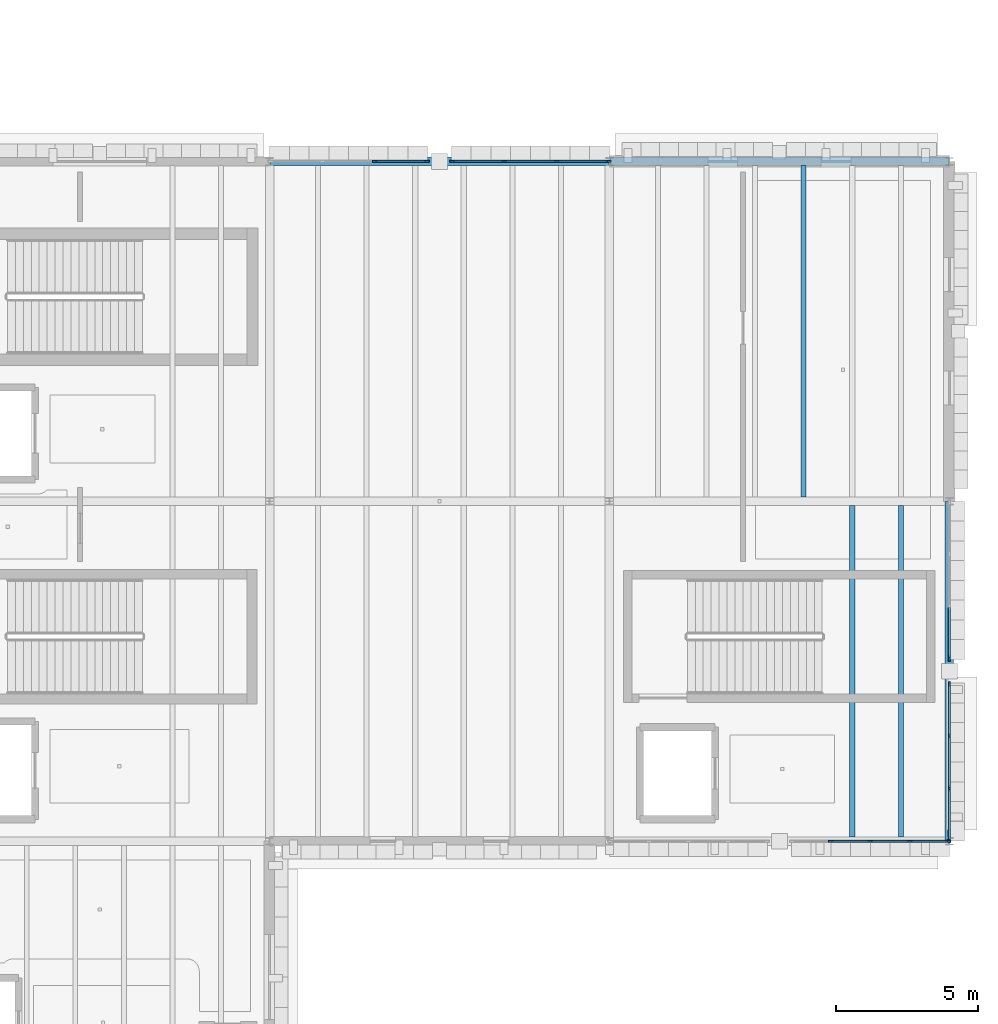
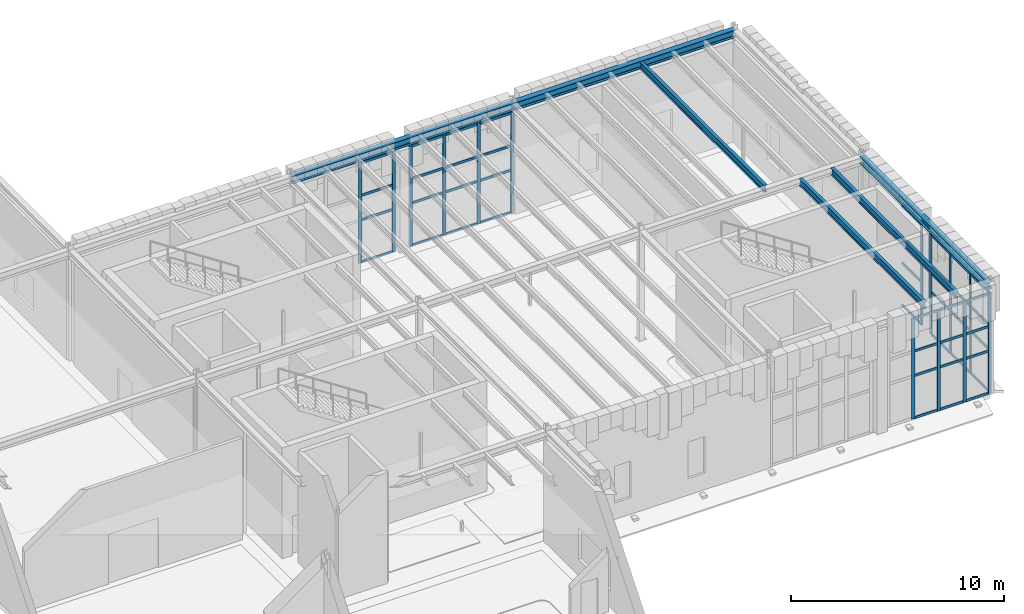
# One storey, part 29 of 62: 59 members, 6 beams, 5 elements without a shape of their own.
"""IFC4 building model written with IfcOpenShell, lengths in metres."""

from ifc_helpers import new_model, si_unit, direction, frame, origin, origin_2d, place, context, subcontext, project, spatial, rectangle, i_section, extrude, material, layer, layer_set, material_profile, profile_set, type_object, element, aggregate, save


model = new_model("IFC4")

# Units and contexts
model_context = context("Model", 3, precision=1e-05, world=origin(), true_north=direction((0.0, 1.0)))
body_context = subcontext(model_context, "Body", "Model", "MODEL_VIEW")
ifc_project = project(units=[si_unit("LENGTHUNIT", "METRE"), si_unit("AREAUNIT", "SQUARE_METRE"), si_unit("VOLUMEUNIT", "CUBIC_METRE"), si_unit("PLANEANGLEUNIT", "RADIAN"), si_unit("MASSUNIT", "GRAM", prefix="KILO")], contexts=[model_context])

# Site, building, storey
site_placement = place(None, origin())
site = spatial("IfcSite", under=ifc_project, at=site_placement, CompositionType="ELEMENT")
building_placement = place(site_placement, origin())
building = spatial("IfcBuilding", under=site, at=building_placement, Name="Zlatogorsky Bluff Art Gallery", CompositionType="ELEMENT")
storey_placement = place(building_placement, frame((0.0, 0.0, 16.800048828125)))
storey = spatial("IfcBuildingStorey", under=building, at=storey_placement, Name="L03", CompositionType="ELEMENT", Elevation=16.800048828125)

# Beams
ifc_material_1 = material(Name="Steel S355", Category="steel")
ifc_material_profile_1 = material_profile(ifc_material_1, i_section(OverallWidth=0.300048828125, OverallDepth=0.43994140625, WebThickness=0.011474609375, FlangeThickness=0.02099609375, FilletRadius=0.027099609375, at=origin_2d()), Name="HEA 450")
ifc_profile_set_1 = profile_set([ifc_material_profile_1], Name="Steel S355")
beam_type_1 = type_object("IfcBeamType", Name="Beam BM-08 HEA 450", PredefinedType="BEAM", material=ifc_profile_set_1)
for number, where, z_axis, x_axis, name in (
    (1, (132.014892578125, 108.0, 6.10986328125), (1.0, 0.0, 0.0), (0.0, 1.0, 0.0), "Primary girder BM-08 L03 M-N/11"),
    (2, (144.014892578125, 108.0, 6.10986328125), (1.0, 0.0, 0.0), (0.0, 1.0, 0.0), "Primary girder BM-08 L03 N-P/11"),
):
    element("IfcBeam", number, at=place(storey_placement, frame(where, z_axis=z_axis, x_axis=x_axis)), inside=storey, type_object=beam_type_1, Name=name, PredefinedType="BEAM", context=body_context, shape_type="SweptSolid", body=[
        extrude(i_section(OverallWidth=0.300048828125, OverallDepth=0.43994140625, WebThickness=0.011474609375, FlangeThickness=0.02099609375, FilletRadius=0.027099609375, at=origin_2d()), origin(), (0.0, 0.0, 1.0), 11.97021484375),
    ])
ifc_material_profile_2 = material_profile(ifc_material_1, i_section(OverallWidth=0.300048828125, OverallDepth=0.389892578125, WebThickness=0.010986328125, FlangeThickness=0.01904296875, FilletRadius=0.027099609375, at=origin_2d()), Name="HEA 400")
ifc_profile_set_2 = profile_set([ifc_material_profile_2], Name="Steel S355")
beam_type_2 = type_object("IfcBeamType", Name="Beam BM-09 HEA 400", PredefinedType="BEAM", material=ifc_profile_set_2)
beam_placement = place(storey_placement, frame((156.0, 84.014892578125, 6.135009765625), z_axis=(0.0, 1.0, 0.0), x_axis=(-1.0, 0.0, 0.0)))
element("IfcBeam", 3, at=beam_placement, inside=storey, type_object=beam_type_2, Name="Primary girder BM-09 L03 P/9-10", PredefinedType="BEAM", context=body_context, shape_type="SweptSolid", body=[
    extrude(i_section(OverallWidth=0.300048828125, OverallDepth=0.389892578125, WebThickness=0.010986328125, FlangeThickness=0.01904296875, FilletRadius=0.027099609375, at=origin_2d()), origin(), (0.0, 0.0, 1.0), 11.97021484375),
])
ifc_material_profile_3 = material_profile(ifc_material_1, i_section(OverallWidth=0.179931640625, OverallDepth=0.39990234375, WebThickness=0.008544921875, FlangeThickness=0.013427734375, FilletRadius=0.02099609375, at=origin_2d()), Name="IPE 400")
ifc_profile_set_3 = profile_set([ifc_material_profile_3], Name="Steel S355")
beam_type_3 = type_object("IfcBeamType", Name="Beam JS-05 IPE 400", PredefinedType="JOIST", material=ifc_profile_set_3)
for number, where, z_axis, x_axis, name in (
    (4, (152.571533203125, 84.14990234375, 6.1298828125), (0.0, 1.0, 0.0), (-1.0, 0.0, 0.0), "Composite floor joist JS-05 L03 12.08.5"),
    (5, (154.28564453125, 84.14990234375, 6.1298828125), (0.0, 1.0, 0.0), (-1.0, 0.0, 0.0), "Composite floor joist JS-05 L03 12.08.6"),
    (6, (150.857177734375, 96.14990234375, 6.1298828125), (0.0, 1.0, 0.0), (-1.0, 0.0, 0.0), "Composite floor joist JS-05 L03 12.09.4"),
):
    element("IfcBeam", number, at=place(storey_placement, frame(where, z_axis=z_axis, x_axis=x_axis)), inside=storey, type_object=beam_type_3, Name=name, PredefinedType="JOIST", context=body_context, shape_type="SweptSolid", body=[
        extrude(i_section(OverallWidth=0.179931640625, OverallDepth=0.39990234375, WebThickness=0.008544921875, FlangeThickness=0.013427734375, FilletRadius=0.02099609375, at=origin_2d()), origin(), (0.0, 0.0, 1.0), 11.7001953125),
    ])

# Curtain wall, members
ifc_material_2 = material(Name="Anodised Bronze Aluminium and Low-Iron Triple Glazing", Category="aluminium")
ifc_layer_1 = layer(ifc_material_2, 0.219970703125)
ifc_layer_set_1 = layer_set([ifc_layer_1], Name="Curtain Wall CW-04")
curtain_wall_type_1 = type_object("IfcCurtainWallType", Name="Curtain Wall CW-04", PredefinedType="USERDEFINED", material=ifc_layer_set_1)
curtain_wall_1_placement = place(storey_placement, origin())
curtain_wall_1 = element("IfcCurtainWall", 7, at=curtain_wall_1_placement, inside=storey, type_object=curtain_wall_type_1, Name="Unitised curtain wall CW-04 L03 N 11.9-A", ObjectType="CURTAIN WALL", PredefinedType="USERDEFINED")
ifc_material_3 = material(Name="Anodised Bronze Aluminium", Category="aluminium")
ifc_material_profile_4 = material_profile(ifc_material_3, rectangle(XDim=0.06494140625, YDim=0.179931640625, at=origin_2d()), Name="ALU MULLION 65x180")
ifc_profile_set_4 = profile_set([ifc_material_profile_4], Name="Anodised Bronze Aluminium")
member_type_1 = type_object("IfcMemberType", Name="Curtain Mullion ML-01", PredefinedType="MULLION", material=ifc_profile_set_4)
member_1_placement = place(storey_placement, frame((143.967529296875, 108.0, 0.0), z_axis=(0.0, 0.0, 1.0), x_axis=(0.0, -1.0, 0.0)))
member_1 = element("IfcMember", 8, at=member_1_placement, type_object=member_type_1, Name="CW-04 mullion 1", PredefinedType="MULLION", context=body_context, shape_type="SweptSolid", body=[
    extrude(rectangle(XDim=0.06494140625, YDim=0.179931640625, at=origin_2d()), origin(), (0.0, 0.0, 1.0), 5.75),
])
member_2_placement = place(storey_placement, frame((142.139892578125, 108.0, 0.0), z_axis=(0.0, 0.0, 1.0), x_axis=(0.0, -1.0, 0.0)))
member_2 = element("IfcMember", 9, at=member_2_placement, type_object=member_type_1, Name="CW-04 mullion 2", PredefinedType="MULLION", context=body_context, shape_type="SweptSolid", body=[
    extrude(rectangle(XDim=0.06494140625, YDim=0.179931640625, at=origin_2d()), origin(), (0.0, 0.0, 1.0), 5.75),
])
member_3_placement = place(storey_placement, frame((140.280029296875, 108.0, 0.0), z_axis=(0.0, 0.0, 1.0), x_axis=(0.0, -1.0, 0.0)))
member_3 = element("IfcMember", 10, at=member_3_placement, type_object=member_type_1, Name="CW-04 mullion 3", PredefinedType="MULLION", context=body_context, shape_type="SweptSolid", body=[
    extrude(rectangle(XDim=0.06494140625, YDim=0.179931640625, at=origin_2d()), origin(), (0.0, 0.0, 1.0), 5.75),
])
member_4_placement = place(storey_placement, frame((138.452392578125, 108.0, 0.0), z_axis=(0.0, 0.0, 1.0), x_axis=(0.0, -1.0, 0.0)))
member_4 = element("IfcMember", 11, at=member_4_placement, type_object=member_type_1, Name="CW-04 mullion 4", PredefinedType="MULLION", context=body_context, shape_type="SweptSolid", body=[
    extrude(rectangle(XDim=0.06494140625, YDim=0.179931640625, at=origin_2d()), origin(), (0.0, 0.0, 1.0), 5.75),
])

curtain_wall_2_placement = place(storey_placement, origin())
curtain_wall_2 = element("IfcCurtainWall", 12, at=curtain_wall_2_placement, inside=storey, type_object=curtain_wall_type_1, Name="Unitised curtain wall CW-04 L03 N 11.9-B", ObjectType="CURTAIN WALL", PredefinedType="USERDEFINED")
member_5_placement = place(storey_placement, frame((137.547607421875, 108.0, 0.0), z_axis=(0.0, 0.0, 1.0), x_axis=(0.0, -1.0, 0.0)))
member_5 = element("IfcMember", 13, at=member_5_placement, type_object=member_type_1, Name="CW-04 mullion 1", PredefinedType="MULLION", context=body_context, shape_type="SweptSolid", body=[
    extrude(rectangle(XDim=0.06494140625, YDim=0.179931640625, at=origin_2d()), origin(), (0.0, 0.0, 1.0), 5.75),
])
member_6_placement = place(storey_placement, frame((135.719970703125, 108.0, 0.0), z_axis=(0.0, 0.0, 1.0), x_axis=(0.0, -1.0, 0.0)))
member_6 = element("IfcMember", 14, at=member_6_placement, type_object=member_type_1, Name="CW-04 mullion 2", PredefinedType="MULLION", context=body_context, shape_type="SweptSolid", body=[
    extrude(rectangle(XDim=0.06494140625, YDim=0.179931640625, at=origin_2d()), origin(), (0.0, 0.0, 1.0), 5.75),
])

ifc_layer_2 = layer(ifc_material_2, 0.199951171875)
ifc_layer_set_2 = layer_set([ifc_layer_2], Name="Curtain Wall CW-02")
curtain_wall_type_2 = type_object("IfcCurtainWallType", Name="Curtain Wall CW-02", PredefinedType="USERDEFINED", material=ifc_layer_set_2)
curtain_wall_3_placement = place(storey_placement, origin())
curtain_wall_3 = element("IfcCurtainWall", 15, at=curtain_wall_3_placement, inside=storey, type_object=curtain_wall_type_2, Name="Unitised curtain wall CW-02 L03 S 12.8-B", ObjectType="CURTAIN WALL", PredefinedType="USERDEFINED")
member_7_placement = place(storey_placement, frame((151.81494140625, 84.0, 0.0), z_axis=(0.0, 0.0, 1.0), x_axis=(0.0, 1.0, 0.0)))
member_7 = element("IfcMember", 16, at=member_7_placement, type_object=member_type_1, Name="CW-02 mullion 2", PredefinedType="MULLION", context=body_context, shape_type="SweptSolid", body=[
    extrude(rectangle(XDim=0.06494140625, YDim=0.179931640625, at=origin_2d()), origin(), (0.0, 0.0, 1.0), 5.75),
])
member_8_placement = place(storey_placement, frame((153.2099609375, 84.0, 0.0), z_axis=(0.0, 0.0, 1.0), x_axis=(0.0, 1.0, 0.0)))
member_8 = element("IfcMember", 17, at=member_8_placement, type_object=member_type_1, Name="CW-02 mullion 3", PredefinedType="MULLION", context=body_context, shape_type="SweptSolid", body=[
    extrude(rectangle(XDim=0.06494140625, YDim=0.179931640625, at=origin_2d()), origin(), (0.0, 0.0, 1.0), 5.75),
])
member_9_placement = place(storey_placement, frame((154.60498046875, 84.0, 0.0), z_axis=(0.0, 0.0, 1.0), x_axis=(0.0, 1.0, 0.0)))
member_9 = element("IfcMember", 18, at=member_9_placement, type_object=member_type_1, Name="CW-02 mullion 4", PredefinedType="MULLION", context=body_context, shape_type="SweptSolid", body=[
    extrude(rectangle(XDim=0.06494140625, YDim=0.179931640625, at=origin_2d()), origin(), (0.0, 0.0, 1.0), 5.75),
])
member_10_placement = place(storey_placement, frame((155.967529296875, 84.0, 0.0), z_axis=(0.0, 0.0, 1.0), x_axis=(0.0, 1.0, 0.0)))
member_10 = element("IfcMember", 19, at=member_10_placement, type_object=member_type_1, Name="CW-02 mullion 5", PredefinedType="MULLION", context=body_context, shape_type="SweptSolid", body=[
    extrude(rectangle(XDim=0.06494140625, YDim=0.179931640625, at=origin_2d()), origin(), (0.0, 0.0, 1.0), 5.75),
])

curtain_wall_4_placement = place(storey_placement, origin())
curtain_wall_4 = element("IfcCurtainWall", 20, at=curtain_wall_4_placement, inside=storey, type_object=curtain_wall_type_1, Name="Unitised curtain wall CW-04 L03 E 12.8-A", ObjectType="CURTAIN WALL", PredefinedType="USERDEFINED")
member_11_placement = place(storey_placement, frame((156.0, 84.032470703125, 0.0), z_axis=(0.0, 0.0, 1.0), x_axis=(-1.0, 0.0, 0.0)))
member_11 = element("IfcMember", 21, at=member_11_placement, type_object=member_type_1, Name="CW-04 mullion 1", PredefinedType="MULLION", context=body_context, shape_type="SweptSolid", body=[
    extrude(rectangle(XDim=0.06494140625, YDim=0.179931640625, at=origin_2d()), origin(), (0.0, 0.0, 1.0), 5.75),
])
member_12_placement = place(storey_placement, frame((156.0, 85.860107421875, 0.0), z_axis=(0.0, 0.0, 1.0), x_axis=(-1.0, 0.0, 0.0)))
member_12 = element("IfcMember", 22, at=member_12_placement, type_object=member_type_1, Name="CW-04 mullion 2", PredefinedType="MULLION", context=body_context, shape_type="SweptSolid", body=[
    extrude(rectangle(XDim=0.06494140625, YDim=0.179931640625, at=origin_2d()), origin(), (0.0, 0.0, 1.0), 5.75),
])
member_13_placement = place(storey_placement, frame((156.0, 87.719970703125, 0.0), z_axis=(0.0, 0.0, 1.0), x_axis=(-1.0, 0.0, 0.0)))
member_13 = element("IfcMember", 23, at=member_13_placement, type_object=member_type_1, Name="CW-04 mullion 3", PredefinedType="MULLION", context=body_context, shape_type="SweptSolid", body=[
    extrude(rectangle(XDim=0.06494140625, YDim=0.179931640625, at=origin_2d()), origin(), (0.0, 0.0, 1.0), 5.75),
])
member_14_placement = place(storey_placement, frame((156.0, 89.547607421875, 0.0), z_axis=(0.0, 0.0, 1.0), x_axis=(-1.0, 0.0, 0.0)))
member_14 = element("IfcMember", 24, at=member_14_placement, type_object=member_type_1, Name="CW-04 mullion 4", PredefinedType="MULLION", context=body_context, shape_type="SweptSolid", body=[
    extrude(rectangle(XDim=0.06494140625, YDim=0.179931640625, at=origin_2d()), origin(), (0.0, 0.0, 1.0), 5.75),
])

# Curtain wall, member
curtain_wall_5_placement = place(storey_placement, origin())
curtain_wall_5 = element("IfcCurtainWall", 25, at=curtain_wall_5_placement, inside=storey, type_object=curtain_wall_type_1, Name="Unitised curtain wall CW-04 L03 E 12.8-B", ObjectType="CURTAIN WALL", PredefinedType="USERDEFINED")
member_15_placement = place(storey_placement, frame((156.0, 90.452392578125, 0.0), z_axis=(0.0, 0.0, 1.0), x_axis=(-1.0, 0.0, 0.0)))
member_15 = element("IfcMember", 26, at=member_15_placement, type_object=member_type_1, Name="CW-04 mullion 1", PredefinedType="MULLION", context=body_context, shape_type="SweptSolid", body=[
    extrude(rectangle(XDim=0.06494140625, YDim=0.179931640625, at=origin_2d()), origin(), (0.0, 0.0, 1.0), 5.75),
])

# Member
ifc_material_profile_5 = material_profile(ifc_material_3, rectangle(XDim=0.06494140625, YDim=0.139892578125, at=origin_2d()), Name="ALU TRANSOM 65x140")
ifc_profile_set_5 = profile_set([ifc_material_profile_5], Name="Anodised Bronze Aluminium")
member_type_2 = type_object("IfcMemberType", Name="Curtain Transom TR-01", PredefinedType="USERDEFINED", material=ifc_profile_set_5)
member_16_placement = place(storey_placement, frame((143.93505859375, 108.0, 0.032470703125), z_axis=(-1.0, 0.0, 0.0), x_axis=(0.0, -1.0, 0.0)))
member_16 = element("IfcMember", 27, at=member_16_placement, type_object=member_type_2, Name="CW-04 transom 1.1", ObjectType="TRANSOM", PredefinedType="USERDEFINED", context=body_context, shape_type="SweptSolid", body=[
    extrude(rectangle(XDim=0.06494140625, YDim=0.139892578125, at=origin_2d()), origin(), (0.0, 0.0, 1.0), 1.762451171875),
])

member_17_placement = place(storey_placement, frame((143.93505859375, 108.0, 2.449951171875), z_axis=(-1.0, 0.0, 0.0), x_axis=(0.0, -1.0, 0.0)))
member_17 = element("IfcMember", 28, at=member_17_placement, type_object=member_type_2, Name="CW-04 transom 1.2", ObjectType="TRANSOM", PredefinedType="USERDEFINED", context=body_context, shape_type="SweptSolid", body=[
    extrude(rectangle(XDim=0.06494140625, YDim=0.139892578125, at=origin_2d()), origin(), (0.0, 0.0, 1.0), 1.762451171875),
])

member_18_placement = place(storey_placement, frame((143.93505859375, 108.0, 3.849853515625), z_axis=(-1.0, 0.0, 0.0), x_axis=(0.0, -1.0, 0.0)))
member_18 = element("IfcMember", 29, at=member_18_placement, type_object=member_type_2, Name="CW-04 transom 1.3", ObjectType="TRANSOM", PredefinedType="USERDEFINED", context=body_context, shape_type="SweptSolid", body=[
    extrude(rectangle(XDim=0.06494140625, YDim=0.139892578125, at=origin_2d()), origin(), (0.0, 0.0, 1.0), 1.762451171875),
])

member_19_placement = place(storey_placement, frame((143.93505859375, 108.0, 5.717529296875), z_axis=(-1.0, 0.0, 0.0), x_axis=(0.0, -1.0, 0.0)))
member_19 = element("IfcMember", 30, at=member_19_placement, type_object=member_type_2, Name="CW-04 transom 1.4", ObjectType="TRANSOM", PredefinedType="USERDEFINED", context=body_context, shape_type="SweptSolid", body=[
    extrude(rectangle(XDim=0.06494140625, YDim=0.139892578125, at=origin_2d()), origin(), (0.0, 0.0, 1.0), 1.762451171875),
])

member_20_placement = place(storey_placement, frame((142.107421875, 108.0, 0.032470703125), z_axis=(-1.0, 0.0, 0.0), x_axis=(0.0, -1.0, 0.0)))
member_20 = element("IfcMember", 31, at=member_20_placement, type_object=member_type_2, Name="CW-04 transom 2.1", ObjectType="TRANSOM", PredefinedType="USERDEFINED", context=body_context, shape_type="SweptSolid", body=[
    extrude(rectangle(XDim=0.06494140625, YDim=0.139892578125, at=origin_2d()), origin(), (0.0, 0.0, 1.0), 1.794921875),
])

member_21_placement = place(storey_placement, frame((142.107421875, 108.0, 2.449951171875), z_axis=(-1.0, 0.0, 0.0), x_axis=(0.0, -1.0, 0.0)))
member_21 = element("IfcMember", 32, at=member_21_placement, type_object=member_type_2, Name="CW-04 transom 2.2", ObjectType="TRANSOM", PredefinedType="USERDEFINED", context=body_context, shape_type="SweptSolid", body=[
    extrude(rectangle(XDim=0.06494140625, YDim=0.139892578125, at=origin_2d()), origin(), (0.0, 0.0, 1.0), 1.794921875),
])

member_22_placement = place(storey_placement, frame((142.107421875, 108.0, 3.849853515625), z_axis=(-1.0, 0.0, 0.0), x_axis=(0.0, -1.0, 0.0)))
member_22 = element("IfcMember", 33, at=member_22_placement, type_object=member_type_2, Name="CW-04 transom 2.3", ObjectType="TRANSOM", PredefinedType="USERDEFINED", context=body_context, shape_type="SweptSolid", body=[
    extrude(rectangle(XDim=0.06494140625, YDim=0.139892578125, at=origin_2d()), origin(), (0.0, 0.0, 1.0), 1.794921875),
])

member_23_placement = place(storey_placement, frame((142.107421875, 108.0, 5.717529296875), z_axis=(-1.0, 0.0, 0.0), x_axis=(0.0, -1.0, 0.0)))
member_23 = element("IfcMember", 34, at=member_23_placement, type_object=member_type_2, Name="CW-04 transom 2.4", ObjectType="TRANSOM", PredefinedType="USERDEFINED", context=body_context, shape_type="SweptSolid", body=[
    extrude(rectangle(XDim=0.06494140625, YDim=0.139892578125, at=origin_2d()), origin(), (0.0, 0.0, 1.0), 1.794921875),
])

member_24_placement = place(storey_placement, frame((140.24755859375, 108.0, 0.032470703125), z_axis=(-1.0, 0.0, 0.0), x_axis=(0.0, -1.0, 0.0)))
member_24 = element("IfcMember", 35, at=member_24_placement, type_object=member_type_2, Name="CW-04 transom 3.1", ObjectType="TRANSOM", PredefinedType="USERDEFINED", context=body_context, shape_type="SweptSolid", body=[
    extrude(rectangle(XDim=0.06494140625, YDim=0.139892578125, at=origin_2d()), origin(), (0.0, 0.0, 1.0), 1.762451171875),
])

member_25_placement = place(storey_placement, frame((140.24755859375, 108.0, 2.449951171875), z_axis=(-1.0, 0.0, 0.0), x_axis=(0.0, -1.0, 0.0)))
member_25 = element("IfcMember", 36, at=member_25_placement, type_object=member_type_2, Name="CW-04 transom 3.2", ObjectType="TRANSOM", PredefinedType="USERDEFINED", context=body_context, shape_type="SweptSolid", body=[
    extrude(rectangle(XDim=0.06494140625, YDim=0.139892578125, at=origin_2d()), origin(), (0.0, 0.0, 1.0), 1.762451171875),
])

member_26_placement = place(storey_placement, frame((140.24755859375, 108.0, 3.849853515625), z_axis=(-1.0, 0.0, 0.0), x_axis=(0.0, -1.0, 0.0)))
member_26 = element("IfcMember", 37, at=member_26_placement, type_object=member_type_2, Name="CW-04 transom 3.3", ObjectType="TRANSOM", PredefinedType="USERDEFINED", context=body_context, shape_type="SweptSolid", body=[
    extrude(rectangle(XDim=0.06494140625, YDim=0.139892578125, at=origin_2d()), origin(), (0.0, 0.0, 1.0), 1.762451171875),
])

member_27_placement = place(storey_placement, frame((140.24755859375, 108.0, 5.717529296875), z_axis=(-1.0, 0.0, 0.0), x_axis=(0.0, -1.0, 0.0)))
member_27 = element("IfcMember", 38, at=member_27_placement, type_object=member_type_2, Name="CW-04 transom 3.4", ObjectType="TRANSOM", PredefinedType="USERDEFINED", context=body_context, shape_type="SweptSolid", body=[
    extrude(rectangle(XDim=0.06494140625, YDim=0.139892578125, at=origin_2d()), origin(), (0.0, 0.0, 1.0), 1.762451171875),
])

aggregate(curtain_wall_1, [member_1, member_2, member_3, member_4, member_16, member_17, member_18, member_19, member_20, member_21, member_22, member_23, member_24, member_25, member_26, member_27])

member_28_placement = place(storey_placement, frame((137.514892578125, 108.0, 0.032470703125), z_axis=(-1.0, 0.0, 0.0), x_axis=(0.0, -1.0, 0.0)))
member_28 = element("IfcMember", 39, at=member_28_placement, type_object=member_type_2, Name="CW-04 transom 1.1", ObjectType="TRANSOM", PredefinedType="USERDEFINED", context=body_context, shape_type="SweptSolid", body=[
    extrude(rectangle(XDim=0.06494140625, YDim=0.139892578125, at=origin_2d()), origin(), (0.0, 0.0, 1.0), 1.762451171875),
])

member_29_placement = place(storey_placement, frame((137.514892578125, 108.0, 2.449951171875), z_axis=(-1.0, 0.0, 0.0), x_axis=(0.0, -1.0, 0.0)))
member_29 = element("IfcMember", 40, at=member_29_placement, type_object=member_type_2, Name="CW-04 transom 1.2", ObjectType="TRANSOM", PredefinedType="USERDEFINED", context=body_context, shape_type="SweptSolid", body=[
    extrude(rectangle(XDim=0.06494140625, YDim=0.139892578125, at=origin_2d()), origin(), (0.0, 0.0, 1.0), 1.762451171875),
])

member_30_placement = place(storey_placement, frame((137.514892578125, 108.0, 3.849853515625), z_axis=(-1.0, 0.0, 0.0), x_axis=(0.0, -1.0, 0.0)))
member_30 = element("IfcMember", 41, at=member_30_placement, type_object=member_type_2, Name="CW-04 transom 1.3", ObjectType="TRANSOM", PredefinedType="USERDEFINED", context=body_context, shape_type="SweptSolid", body=[
    extrude(rectangle(XDim=0.06494140625, YDim=0.139892578125, at=origin_2d()), origin(), (0.0, 0.0, 1.0), 1.762451171875),
])

member_31_placement = place(storey_placement, frame((137.514892578125, 108.0, 5.717529296875), z_axis=(-1.0, 0.0, 0.0), x_axis=(0.0, -1.0, 0.0)))
member_31 = element("IfcMember", 42, at=member_31_placement, type_object=member_type_2, Name="CW-04 transom 1.4", ObjectType="TRANSOM", PredefinedType="USERDEFINED", context=body_context, shape_type="SweptSolid", body=[
    extrude(rectangle(XDim=0.06494140625, YDim=0.139892578125, at=origin_2d()), origin(), (0.0, 0.0, 1.0), 1.762451171875),
])

aggregate(curtain_wall_2, [member_5, member_6, member_28, member_29, member_30, member_31])

member_32_placement = place(storey_placement, frame((151.847412109375, 84.0, 0.032470703125), z_axis=(1.0, 0.0, 0.0), x_axis=(0.0, 1.0, 0.0)))
member_32 = element("IfcMember", 43, at=member_32_placement, type_object=member_type_2, Name="CW-02 transom 2.1", ObjectType="TRANSOM", PredefinedType="USERDEFINED", context=body_context, shape_type="SweptSolid", body=[
    extrude(rectangle(XDim=0.06494140625, YDim=0.139892578125, at=origin_2d()), origin(), (0.0, 0.0, 1.0), 1.330078125),
])

member_33_placement = place(storey_placement, frame((151.847412109375, 84.0, 2.449951171875), z_axis=(1.0, 0.0, 0.0), x_axis=(0.0, 1.0, 0.0)))
member_33 = element("IfcMember", 44, at=member_33_placement, type_object=member_type_2, Name="CW-02 transom 2.2", ObjectType="TRANSOM", PredefinedType="USERDEFINED", context=body_context, shape_type="SweptSolid", body=[
    extrude(rectangle(XDim=0.06494140625, YDim=0.139892578125, at=origin_2d()), origin(), (0.0, 0.0, 1.0), 1.330078125),
])

member_34_placement = place(storey_placement, frame((151.847412109375, 84.0, 3.849853515625), z_axis=(1.0, 0.0, 0.0), x_axis=(0.0, 1.0, 0.0)))
member_34 = element("IfcMember", 45, at=member_34_placement, type_object=member_type_2, Name="CW-02 transom 2.3", ObjectType="TRANSOM", PredefinedType="USERDEFINED", context=body_context, shape_type="SweptSolid", body=[
    extrude(rectangle(XDim=0.06494140625, YDim=0.139892578125, at=origin_2d()), origin(), (0.0, 0.0, 1.0), 1.330078125),
])

member_35_placement = place(storey_placement, frame((151.847412109375, 84.0, 5.717529296875), z_axis=(1.0, 0.0, 0.0), x_axis=(0.0, 1.0, 0.0)))
member_35 = element("IfcMember", 46, at=member_35_placement, type_object=member_type_2, Name="CW-02 transom 2.4", ObjectType="TRANSOM", PredefinedType="USERDEFINED", context=body_context, shape_type="SweptSolid", body=[
    extrude(rectangle(XDim=0.06494140625, YDim=0.139892578125, at=origin_2d()), origin(), (0.0, 0.0, 1.0), 1.330078125),
])

member_36_placement = place(storey_placement, frame((153.242431640625, 84.0, 0.032470703125), z_axis=(1.0, 0.0, 0.0), x_axis=(0.0, 1.0, 0.0)))
member_36 = element("IfcMember", 47, at=member_36_placement, type_object=member_type_2, Name="CW-02 transom 3.1", ObjectType="TRANSOM", PredefinedType="USERDEFINED", context=body_context, shape_type="SweptSolid", body=[
    extrude(rectangle(XDim=0.06494140625, YDim=0.139892578125, at=origin_2d()), origin(), (0.0, 0.0, 1.0), 1.330078125),
])

member_37_placement = place(storey_placement, frame((153.242431640625, 84.0, 2.449951171875), z_axis=(1.0, 0.0, 0.0), x_axis=(0.0, 1.0, 0.0)))
member_37 = element("IfcMember", 48, at=member_37_placement, type_object=member_type_2, Name="CW-02 transom 3.2", ObjectType="TRANSOM", PredefinedType="USERDEFINED", context=body_context, shape_type="SweptSolid", body=[
    extrude(rectangle(XDim=0.06494140625, YDim=0.139892578125, at=origin_2d()), origin(), (0.0, 0.0, 1.0), 1.330078125),
])

member_38_placement = place(storey_placement, frame((153.242431640625, 84.0, 3.849853515625), z_axis=(1.0, 0.0, 0.0), x_axis=(0.0, 1.0, 0.0)))
member_38 = element("IfcMember", 49, at=member_38_placement, type_object=member_type_2, Name="CW-02 transom 3.3", ObjectType="TRANSOM", PredefinedType="USERDEFINED", context=body_context, shape_type="SweptSolid", body=[
    extrude(rectangle(XDim=0.06494140625, YDim=0.139892578125, at=origin_2d()), origin(), (0.0, 0.0, 1.0), 1.330078125),
])

member_39_placement = place(storey_placement, frame((153.242431640625, 84.0, 5.717529296875), z_axis=(1.0, 0.0, 0.0), x_axis=(0.0, 1.0, 0.0)))
member_39 = element("IfcMember", 50, at=member_39_placement, type_object=member_type_2, Name="CW-02 transom 3.4", ObjectType="TRANSOM", PredefinedType="USERDEFINED", context=body_context, shape_type="SweptSolid", body=[
    extrude(rectangle(XDim=0.06494140625, YDim=0.139892578125, at=origin_2d()), origin(), (0.0, 0.0, 1.0), 1.330078125),
])

member_40_placement = place(storey_placement, frame((154.637451171875, 84.0, 0.032470703125), z_axis=(1.0, 0.0, 0.0), x_axis=(0.0, 1.0, 0.0)))
member_40 = element("IfcMember", 51, at=member_40_placement, type_object=member_type_2, Name="CW-02 transom 4.1", ObjectType="TRANSOM", PredefinedType="USERDEFINED", context=body_context, shape_type="SweptSolid", body=[
    extrude(rectangle(XDim=0.06494140625, YDim=0.139892578125, at=origin_2d()), origin(), (0.0, 0.0, 1.0), 1.297607421875),
])

member_41_placement = place(storey_placement, frame((154.637451171875, 84.0, 2.449951171875), z_axis=(1.0, 0.0, 0.0), x_axis=(0.0, 1.0, 0.0)))
member_41 = element("IfcMember", 52, at=member_41_placement, type_object=member_type_2, Name="CW-02 transom 4.2", ObjectType="TRANSOM", PredefinedType="USERDEFINED", context=body_context, shape_type="SweptSolid", body=[
    extrude(rectangle(XDim=0.06494140625, YDim=0.139892578125, at=origin_2d()), origin(), (0.0, 0.0, 1.0), 1.297607421875),
])

member_42_placement = place(storey_placement, frame((154.637451171875, 84.0, 3.849853515625), z_axis=(1.0, 0.0, 0.0), x_axis=(0.0, 1.0, 0.0)))
member_42 = element("IfcMember", 53, at=member_42_placement, type_object=member_type_2, Name="CW-02 transom 4.3", ObjectType="TRANSOM", PredefinedType="USERDEFINED", context=body_context, shape_type="SweptSolid", body=[
    extrude(rectangle(XDim=0.06494140625, YDim=0.139892578125, at=origin_2d()), origin(), (0.0, 0.0, 1.0), 1.297607421875),
])

member_43_placement = place(storey_placement, frame((154.637451171875, 84.0, 5.717529296875), z_axis=(1.0, 0.0, 0.0), x_axis=(0.0, 1.0, 0.0)))
member_43 = element("IfcMember", 54, at=member_43_placement, type_object=member_type_2, Name="CW-02 transom 4.4", ObjectType="TRANSOM", PredefinedType="USERDEFINED", context=body_context, shape_type="SweptSolid", body=[
    extrude(rectangle(XDim=0.06494140625, YDim=0.139892578125, at=origin_2d()), origin(), (0.0, 0.0, 1.0), 1.297607421875),
])

aggregate(curtain_wall_3, [member_7, member_8, member_9, member_10, member_32, member_33, member_34, member_35, member_36, member_37, member_38, member_39, member_40, member_41, member_42, member_43])

member_44_placement = place(storey_placement, frame((156.0, 84.06494140625, 0.032470703125), z_axis=(0.0, 1.0, 0.0), x_axis=(-1.0, 0.0, 0.0)))
member_44 = element("IfcMember", 55, at=member_44_placement, type_object=member_type_2, Name="CW-04 transom 1.1", ObjectType="TRANSOM", PredefinedType="USERDEFINED", context=body_context, shape_type="SweptSolid", body=[
    extrude(rectangle(XDim=0.06494140625, YDim=0.139892578125, at=origin_2d()), origin(), (0.0, 0.0, 1.0), 1.762451171875),
])

member_45_placement = place(storey_placement, frame((156.0, 84.06494140625, 2.449951171875), z_axis=(0.0, 1.0, 0.0), x_axis=(-1.0, 0.0, 0.0)))
member_45 = element("IfcMember", 56, at=member_45_placement, type_object=member_type_2, Name="CW-04 transom 1.2", ObjectType="TRANSOM", PredefinedType="USERDEFINED", context=body_context, shape_type="SweptSolid", body=[
    extrude(rectangle(XDim=0.06494140625, YDim=0.139892578125, at=origin_2d()), origin(), (0.0, 0.0, 1.0), 1.762451171875),
])

member_46_placement = place(storey_placement, frame((156.0, 84.06494140625, 3.849853515625), z_axis=(0.0, 1.0, 0.0), x_axis=(-1.0, 0.0, 0.0)))
member_46 = element("IfcMember", 57, at=member_46_placement, type_object=member_type_2, Name="CW-04 transom 1.3", ObjectType="TRANSOM", PredefinedType="USERDEFINED", context=body_context, shape_type="SweptSolid", body=[
    extrude(rectangle(XDim=0.06494140625, YDim=0.139892578125, at=origin_2d()), origin(), (0.0, 0.0, 1.0), 1.762451171875),
])

member_47_placement = place(storey_placement, frame((156.0, 84.06494140625, 5.717529296875), z_axis=(0.0, 1.0, 0.0), x_axis=(-1.0, 0.0, 0.0)))
member_47 = element("IfcMember", 58, at=member_47_placement, type_object=member_type_2, Name="CW-04 transom 1.4", ObjectType="TRANSOM", PredefinedType="USERDEFINED", context=body_context, shape_type="SweptSolid", body=[
    extrude(rectangle(XDim=0.06494140625, YDim=0.139892578125, at=origin_2d()), origin(), (0.0, 0.0, 1.0), 1.762451171875),
])

member_48_placement = place(storey_placement, frame((156.0, 85.892578125, 0.032470703125), z_axis=(0.0, 1.0, 0.0), x_axis=(-1.0, 0.0, 0.0)))
member_48 = element("IfcMember", 59, at=member_48_placement, type_object=member_type_2, Name="CW-04 transom 2.1", ObjectType="TRANSOM", PredefinedType="USERDEFINED", context=body_context, shape_type="SweptSolid", body=[
    extrude(rectangle(XDim=0.06494140625, YDim=0.139892578125, at=origin_2d()), origin(), (0.0, 0.0, 1.0), 1.794921875),
])

member_49_placement = place(storey_placement, frame((156.0, 85.892578125, 2.449951171875), z_axis=(0.0, 1.0, 0.0), x_axis=(-1.0, 0.0, 0.0)))
member_49 = element("IfcMember", 60, at=member_49_placement, type_object=member_type_2, Name="CW-04 transom 2.2", ObjectType="TRANSOM", PredefinedType="USERDEFINED", context=body_context, shape_type="SweptSolid", body=[
    extrude(rectangle(XDim=0.06494140625, YDim=0.139892578125, at=origin_2d()), origin(), (0.0, 0.0, 1.0), 1.794921875),
])

member_50_placement = place(storey_placement, frame((156.0, 85.892578125, 3.849853515625), z_axis=(0.0, 1.0, 0.0), x_axis=(-1.0, 0.0, 0.0)))
member_50 = element("IfcMember", 61, at=member_50_placement, type_object=member_type_2, Name="CW-04 transom 2.3", ObjectType="TRANSOM", PredefinedType="USERDEFINED", context=body_context, shape_type="SweptSolid", body=[
    extrude(rectangle(XDim=0.06494140625, YDim=0.139892578125, at=origin_2d()), origin(), (0.0, 0.0, 1.0), 1.794921875),
])

member_51_placement = place(storey_placement, frame((156.0, 85.892578125, 5.717529296875), z_axis=(0.0, 1.0, 0.0), x_axis=(-1.0, 0.0, 0.0)))
member_51 = element("IfcMember", 62, at=member_51_placement, type_object=member_type_2, Name="CW-04 transom 2.4", ObjectType="TRANSOM", PredefinedType="USERDEFINED", context=body_context, shape_type="SweptSolid", body=[
    extrude(rectangle(XDim=0.06494140625, YDim=0.139892578125, at=origin_2d()), origin(), (0.0, 0.0, 1.0), 1.794921875),
])

member_52_placement = place(storey_placement, frame((156.0, 87.75244140625, 0.032470703125), z_axis=(0.0, 1.0, 0.0), x_axis=(-1.0, 0.0, 0.0)))
member_52 = element("IfcMember", 63, at=member_52_placement, type_object=member_type_2, Name="CW-04 transom 3.1", ObjectType="TRANSOM", PredefinedType="USERDEFINED", context=body_context, shape_type="SweptSolid", body=[
    extrude(rectangle(XDim=0.06494140625, YDim=0.139892578125, at=origin_2d()), origin(), (0.0, 0.0, 1.0), 1.762451171875),
])

member_53_placement = place(storey_placement, frame((156.0, 87.75244140625, 2.449951171875), z_axis=(0.0, 1.0, 0.0), x_axis=(-1.0, 0.0, 0.0)))
member_53 = element("IfcMember", 64, at=member_53_placement, type_object=member_type_2, Name="CW-04 transom 3.2", ObjectType="TRANSOM", PredefinedType="USERDEFINED", context=body_context, shape_type="SweptSolid", body=[
    extrude(rectangle(XDim=0.06494140625, YDim=0.139892578125, at=origin_2d()), origin(), (0.0, 0.0, 1.0), 1.762451171875),
])

member_54_placement = place(storey_placement, frame((156.0, 87.75244140625, 3.849853515625), z_axis=(0.0, 1.0, 0.0), x_axis=(-1.0, 0.0, 0.0)))
member_54 = element("IfcMember", 65, at=member_54_placement, type_object=member_type_2, Name="CW-04 transom 3.3", ObjectType="TRANSOM", PredefinedType="USERDEFINED", context=body_context, shape_type="SweptSolid", body=[
    extrude(rectangle(XDim=0.06494140625, YDim=0.139892578125, at=origin_2d()), origin(), (0.0, 0.0, 1.0), 1.762451171875),
])

member_55_placement = place(storey_placement, frame((156.0, 87.75244140625, 5.717529296875), z_axis=(0.0, 1.0, 0.0), x_axis=(-1.0, 0.0, 0.0)))
member_55 = element("IfcMember", 66, at=member_55_placement, type_object=member_type_2, Name="CW-04 transom 3.4", ObjectType="TRANSOM", PredefinedType="USERDEFINED", context=body_context, shape_type="SweptSolid", body=[
    extrude(rectangle(XDim=0.06494140625, YDim=0.139892578125, at=origin_2d()), origin(), (0.0, 0.0, 1.0), 1.762451171875),
])

aggregate(curtain_wall_4, [member_11, member_12, member_13, member_14, member_44, member_45, member_46, member_47, member_48, member_49, member_50, member_51, member_52, member_53, member_54, member_55])

member_56_placement = place(storey_placement, frame((156.0, 90.485107421875, 0.032470703125), z_axis=(0.0, 1.0, 0.0), x_axis=(-1.0, 0.0, 0.0)))
member_56 = element("IfcMember", 67, at=member_56_placement, type_object=member_type_2, Name="CW-04 transom 1.1", ObjectType="TRANSOM", PredefinedType="USERDEFINED", context=body_context, shape_type="SweptSolid", body=[
    extrude(rectangle(XDim=0.06494140625, YDim=0.139892578125, at=origin_2d()), origin(), (0.0, 0.0, 1.0), 1.762451171875),
])

member_57_placement = place(storey_placement, frame((156.0, 90.485107421875, 2.449951171875), z_axis=(0.0, 1.0, 0.0), x_axis=(-1.0, 0.0, 0.0)))
member_57 = element("IfcMember", 68, at=member_57_placement, type_object=member_type_2, Name="CW-04 transom 1.2", ObjectType="TRANSOM", PredefinedType="USERDEFINED", context=body_context, shape_type="SweptSolid", body=[
    extrude(rectangle(XDim=0.06494140625, YDim=0.139892578125, at=origin_2d()), origin(), (0.0, 0.0, 1.0), 1.762451171875),
])

member_58_placement = place(storey_placement, frame((156.0, 90.485107421875, 3.849853515625), z_axis=(0.0, 1.0, 0.0), x_axis=(-1.0, 0.0, 0.0)))
member_58 = element("IfcMember", 69, at=member_58_placement, type_object=member_type_2, Name="CW-04 transom 1.3", ObjectType="TRANSOM", PredefinedType="USERDEFINED", context=body_context, shape_type="SweptSolid", body=[
    extrude(rectangle(XDim=0.06494140625, YDim=0.139892578125, at=origin_2d()), origin(), (0.0, 0.0, 1.0), 1.762451171875),
])

member_59_placement = place(storey_placement, frame((156.0, 90.485107421875, 5.717529296875), z_axis=(0.0, 1.0, 0.0), x_axis=(-1.0, 0.0, 0.0)))
member_59 = element("IfcMember", 70, at=member_59_placement, type_object=member_type_2, Name="CW-04 transom 1.4", ObjectType="TRANSOM", PredefinedType="USERDEFINED", context=body_context, shape_type="SweptSolid", body=[
    extrude(rectangle(XDim=0.06494140625, YDim=0.139892578125, at=origin_2d()), origin(), (0.0, 0.0, 1.0), 1.762451171875),
])

aggregate(curtain_wall_5, [member_15, member_56, member_57, member_58, member_59])

save(model, "model.ifc")
